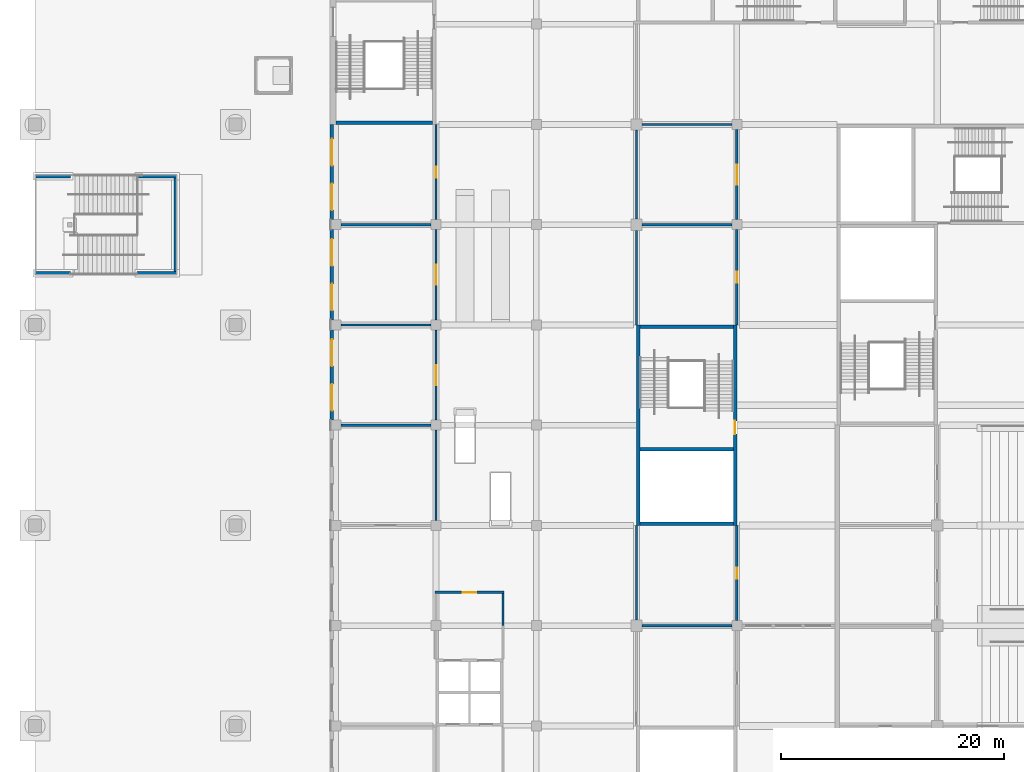
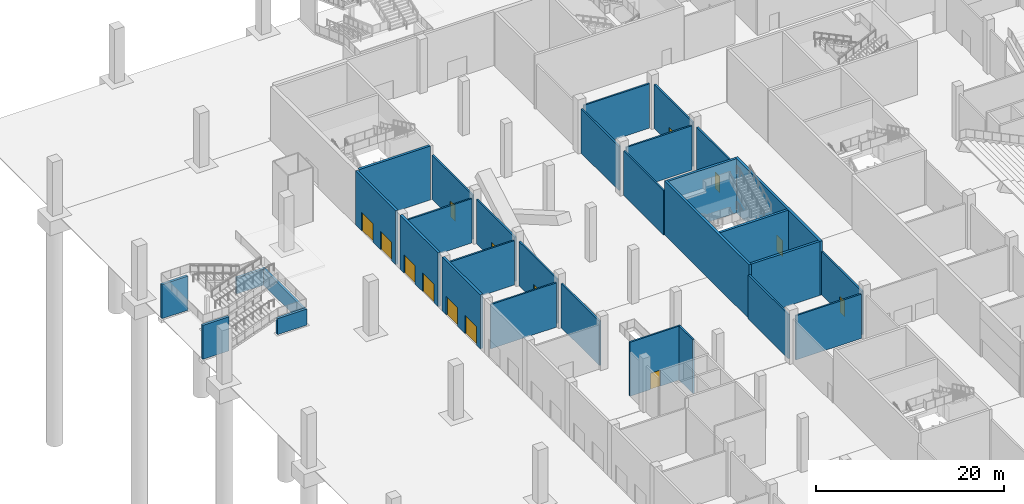
# One storey, part 27 of 92: 32 walls, 14 doors, 14 openings.
"""IFC4 building model written with IfcOpenShell, lengths in metres."""

from ifc_helpers import new_model, si_unit, direction, frame, frame_2d, origin, place, context, subcontext, project, spatial, rectangle, extrude, material, layer, layer_set, type_object, element, fill, save


model = new_model("IFC4")

# Units and contexts
model_context = context("Model", 3, precision=1e-05, world=origin(), true_north=direction((0.0, 1.0)))
body_context = subcontext(model_context, "Body", "Model", "MODEL_VIEW")
ifc_project = project(units=[si_unit("LENGTHUNIT", "METRE"), si_unit("AREAUNIT", "SQUARE_METRE"), si_unit("VOLUMEUNIT", "CUBIC_METRE"), si_unit("PLANEANGLEUNIT", "RADIAN"), si_unit("MASSUNIT", "GRAM", prefix="KILO")], contexts=[model_context])

# Site, building, storey
site_placement = place(None, origin())
site = spatial("IfcSite", under=ifc_project, at=site_placement, CompositionType="ELEMENT")
building_placement = place(site_placement, origin())
building = spatial("IfcBuilding", under=site, at=building_placement, Name="Silverbay Arena", CompositionType="ELEMENT")
storey_placement = place(building_placement, origin())
storey = spatial("IfcBuildingStorey", under=building, at=storey_placement, Name="L00", CompositionType="ELEMENT", Elevation=0.0)

# Wall, openings, doors
ifc_material_1 = material(Name="Concrete Grade C45 precast, board-marked finish", Category="concrete")
ifc_layer_1 = layer(ifc_material_1, 0.300048828125)
ifc_layer_set_1 = layer_set([ifc_layer_1], Name="Concrete Grade C45 precast, board-marked finish")
wall_type_1 = type_object("IfcWallType", Name="Board-marked precast wall 300", PredefinedType="SOLIDWALL", material=ifc_layer_set_1)
wall_1_placement = place(storey_placement, frame((26.64990234375, 107.550048828125, 0.0), z_axis=(0.0, 0.0, 1.0), x_axis=(0.0, -1.0, 0.0)))
wall_1 = element("IfcWall", 1, at=wall_1_placement, inside=storey, type_object=wall_type_1, Name="West external wall L00 bay 10", PredefinedType="SOLIDWALL", context=body_context, shape_type="SweptSolid", body=[
    extrude(rectangle(XDim=8.10009765625, YDim=0.300048828125, at=frame_2d((4.050048828125, 0.0))), origin(), (0.0, 0.0, 1.0), 7.0),
])
opening_1_placement = place(wall_1_placement, frame((4.85009765625, 0.0, 0.0)))
opening_1 = element("IfcOpeningElement", 2, at=opening_1_placement, cuts=wall_1, Name="Opening L00-152", PredefinedType="OPENING", context=body_context, shape_type="SweptSolid", body=[
    extrude(rectangle(XDim=2.39990234375, YDim=2.39990234375, at=frame_2d((1.199951171875, 1.199951171875))), frame((0.0, 0.16015625, 0.0), z_axis=(0.0, -1.0, 0.0), x_axis=(1.0, 0.0, 0.0)), (0.0, 0.0, 1.0), 0.320068359375),
])
opening_2_placement = place(wall_1_placement, frame((0.85009765625, 0.0, 0.0)))
opening_2 = element("IfcOpeningElement", 3, at=opening_2_placement, cuts=wall_1, Name="Opening L00-153", PredefinedType="OPENING", context=body_context, shape_type="SweptSolid", body=[
    extrude(rectangle(XDim=2.39990234375, YDim=2.39990234375, at=frame_2d((1.199951171875, 1.199951171875))), frame((0.0, 0.16015625, 0.0), z_axis=(0.0, -1.0, 0.0), x_axis=(1.0, 0.0, 0.0)), (0.0, 0.0, 1.0), 0.320068359375),
])
ifc_material_2 = material(Name="Steel", Category="steel")
door_type_1 = type_object("IfcDoorType", Name="Exit gate door 2400 x 2400", OperationType="DOUBLE_DOOR_SINGLE_SWING", PredefinedType="DOOR", material=ifc_material_2)
door_1_placement = place(opening_1_placement, frame((2.39990234375, 0.0, 0.0), z_axis=(0.0, 0.0, 1.0), x_axis=(-1.0, 0.0, 0.0)))
door_1 = element("IfcDoor", 4, at=door_1_placement, inside=storey, type_object=door_type_1, Name="Pedestrian exit gate G23", OperationType="DOUBLE_DOOR_SINGLE_SWING", OverallHeight=2.39990234375, OverallWidth=2.39990234375, PredefinedType="DOOR", context=body_context, shape_type="SweptSolid", body=[
    extrude(rectangle(XDim=2.39990234375, YDim=2.39990234375, at=frame_2d((1.199951171875, 1.199951171875))), frame((0.0, 0.02490234375, 0.0), z_axis=(0.0, -1.0, 0.0), x_axis=(1.0, 0.0, 0.0)), (0.0, 0.0, 1.0), 0.050048828125),
])
fill(opening_1, door_1)
door_2_placement = place(opening_2_placement, frame((2.39990234375, 0.0, 0.0), z_axis=(0.0, 0.0, 1.0), x_axis=(-1.0, 0.0, 0.0)))
door_2 = element("IfcDoor", 5, at=door_2_placement, inside=storey, type_object=door_type_1, Name="Pedestrian exit gate G24", OperationType="DOUBLE_DOOR_SINGLE_SWING", OverallHeight=2.39990234375, OverallWidth=2.39990234375, PredefinedType="DOOR", context=body_context, shape_type="SweptSolid", body=[
    extrude(rectangle(XDim=2.39990234375, YDim=2.39990234375, at=frame_2d((1.199951171875, 1.199951171875))), frame((0.0, 0.02490234375, 0.0), z_axis=(0.0, -1.0, 0.0), x_axis=(1.0, 0.0, 0.0)), (0.0, 0.0, 1.0), 0.050048828125),
])
fill(opening_2, door_2)

wall_2_placement = place(storey_placement, frame((26.64990234375, 116.550048828125, 0.0), z_axis=(0.0, 0.0, 1.0), x_axis=(0.0, -1.0, 0.0)))
wall_2 = element("IfcWall", 6, at=wall_2_placement, inside=storey, type_object=wall_type_1, Name="West external wall L00 bay 11", PredefinedType="SOLIDWALL", context=body_context, shape_type="SweptSolid", body=[
    extrude(rectangle(XDim=8.10009765625, YDim=0.300048828125, at=frame_2d((4.050048828125, 0.0))), origin(), (0.0, 0.0, 1.0), 7.0),
])
opening_3_placement = place(wall_2_placement, frame((4.85009765625, 0.0, 0.0)))
opening_3 = element("IfcOpeningElement", 7, at=opening_3_placement, cuts=wall_2, Name="Opening L00-154", PredefinedType="OPENING", context=body_context, shape_type="SweptSolid", body=[
    extrude(rectangle(XDim=2.39990234375, YDim=2.39990234375, at=frame_2d((1.199951171875, 1.199951171875))), frame((0.0, 0.16015625, 0.0), z_axis=(0.0, -1.0, 0.0), x_axis=(1.0, 0.0, 0.0)), (0.0, 0.0, 1.0), 0.320068359375),
])
opening_4_placement = place(wall_2_placement, frame((0.85009765625, 0.0, 0.0)))
opening_4 = element("IfcOpeningElement", 8, at=opening_4_placement, cuts=wall_2, Name="Opening L00-155", PredefinedType="OPENING", context=body_context, shape_type="SweptSolid", body=[
    extrude(rectangle(XDim=2.39990234375, YDim=2.39990234375, at=frame_2d((1.199951171875, 1.199951171875))), frame((0.0, 0.16015625, 0.0), z_axis=(0.0, -1.0, 0.0), x_axis=(1.0, 0.0, 0.0)), (0.0, 0.0, 1.0), 0.320068359375),
])
door_3_placement = place(opening_3_placement, frame((2.39990234375, 0.0, 0.0), z_axis=(0.0, 0.0, 1.0), x_axis=(-1.0, 0.0, 0.0)))
door_3 = element("IfcDoor", 9, at=door_3_placement, inside=storey, type_object=door_type_1, Name="Pedestrian exit gate G25", OperationType="DOUBLE_DOOR_SINGLE_SWING", OverallHeight=2.39990234375, OverallWidth=2.39990234375, PredefinedType="DOOR", context=body_context, shape_type="SweptSolid", body=[
    extrude(rectangle(XDim=2.39990234375, YDim=2.39990234375, at=frame_2d((1.199951171875, 1.199951171875))), frame((0.0, 0.02490234375, 0.0), z_axis=(0.0, -1.0, 0.0), x_axis=(1.0, 0.0, 0.0)), (0.0, 0.0, 1.0), 0.050048828125),
])
fill(opening_3, door_3)
door_4_placement = place(opening_4_placement, frame((2.39990234375, 0.0, 0.0), z_axis=(0.0, 0.0, 1.0), x_axis=(-1.0, 0.0, 0.0)))
door_4 = element("IfcDoor", 10, at=door_4_placement, inside=storey, type_object=door_type_1, Name="Pedestrian exit gate G26", OperationType="DOUBLE_DOOR_SINGLE_SWING", OverallHeight=2.39990234375, OverallWidth=2.39990234375, PredefinedType="DOOR", context=body_context, shape_type="SweptSolid", body=[
    extrude(rectangle(XDim=2.39990234375, YDim=2.39990234375, at=frame_2d((1.199951171875, 1.199951171875))), frame((0.0, 0.02490234375, 0.0), z_axis=(0.0, -1.0, 0.0), x_axis=(1.0, 0.0, 0.0)), (0.0, 0.0, 1.0), 0.050048828125),
])
fill(opening_4, door_4)

wall_3_placement = place(storey_placement, frame((26.64990234375, 126.0, 0.0), z_axis=(0.0, 0.0, 1.0), x_axis=(0.0, -1.0, 0.0)))
wall_3 = element("IfcWall", 11, at=wall_3_placement, inside=storey, type_object=wall_type_1, Name="West external wall L00 bay 12", PredefinedType="SOLIDWALL", context=body_context, shape_type="SweptSolid", body=[
    extrude(rectangle(XDim=8.550048828125, YDim=0.300048828125, at=frame_2d((4.27490234375, 0.0))), origin(), (0.0, 0.0, 1.0), 7.0),
])
opening_5_placement = place(wall_3_placement, frame((5.300048828125, 0.0, 0.0)))
opening_5 = element("IfcOpeningElement", 12, at=opening_5_placement, cuts=wall_3, Name="Opening L00-156", PredefinedType="OPENING", context=body_context, shape_type="SweptSolid", body=[
    extrude(rectangle(XDim=2.39990234375, YDim=2.39990234375, at=frame_2d((1.199951171875, 1.199951171875))), frame((0.0, 0.16015625, 0.0), z_axis=(0.0, -1.0, 0.0), x_axis=(1.0, 0.0, 0.0)), (0.0, 0.0, 1.0), 0.320068359375),
])
opening_6_placement = place(wall_3_placement, frame((1.300048828125, 0.0, 0.0)))
opening_6 = element("IfcOpeningElement", 13, at=opening_6_placement, cuts=wall_3, Name="Opening L00-157", PredefinedType="OPENING", context=body_context, shape_type="SweptSolid", body=[
    extrude(rectangle(XDim=2.39990234375, YDim=2.39990234375, at=frame_2d((1.199951171875, 1.199951171875))), frame((0.0, 0.16015625, 0.0), z_axis=(0.0, -1.0, 0.0), x_axis=(1.0, 0.0, 0.0)), (0.0, 0.0, 1.0), 0.320068359375),
])
door_5_placement = place(opening_5_placement, frame((2.39990234375, 0.0, 0.0), z_axis=(0.0, 0.0, 1.0), x_axis=(-1.0, 0.0, 0.0)))
door_5 = element("IfcDoor", 14, at=door_5_placement, inside=storey, type_object=door_type_1, Name="Pedestrian exit gate G27", OperationType="DOUBLE_DOOR_SINGLE_SWING", OverallHeight=2.39990234375, OverallWidth=2.39990234375, PredefinedType="DOOR", context=body_context, shape_type="SweptSolid", body=[
    extrude(rectangle(XDim=2.39990234375, YDim=2.39990234375, at=frame_2d((1.199951171875, 1.199951171875))), frame((0.0, 0.02490234375, 0.0), z_axis=(0.0, -1.0, 0.0), x_axis=(1.0, 0.0, 0.0)), (0.0, 0.0, 1.0), 0.050048828125),
])
fill(opening_5, door_5)
door_6_placement = place(opening_6_placement, frame((2.39990234375, 0.0, 0.0), z_axis=(0.0, 0.0, 1.0), x_axis=(-1.0, 0.0, 0.0)))
door_6 = element("IfcDoor", 15, at=door_6_placement, inside=storey, type_object=door_type_1, Name="Pedestrian exit gate G28", OperationType="DOUBLE_DOOR_SINGLE_SWING", OverallHeight=2.39990234375, OverallWidth=2.39990234375, PredefinedType="DOOR", context=body_context, shape_type="SweptSolid", body=[
    extrude(rectangle(XDim=2.39990234375, YDim=2.39990234375, at=frame_2d((1.199951171875, 1.199951171875))), frame((0.0, 0.02490234375, 0.0), z_axis=(0.0, -1.0, 0.0), x_axis=(1.0, 0.0, 0.0)), (0.0, 0.0, 1.0), 0.050048828125),
])
fill(opening_6, door_6)

# Wall, opening, door
ifc_material_3 = material(Name="Concrete Grade C45", Category="concrete")
ifc_layer_2 = layer(ifc_material_3, 0.300048828125)
ifc_layer_set_2 = layer_set([ifc_layer_2], Name="Concrete Grade C45")
wall_type_2 = type_object("IfcWallType", Name="Core wall RC 300 EI 120", PredefinedType="SHEAR", material=ifc_layer_set_2)
wall_4_placement = place(storey_placement, frame((62.85009765625, 108.0, 0.0), z_axis=(0.0, 0.0, 1.0), x_axis=(0.0, -1.0, 0.0)))
wall_4 = element("IfcWall", 16, at=wall_4_placement, inside=storey, type_object=wall_type_2, Name="Core wall ST-W2 L00 door side", PredefinedType="SHEAR", context=body_context, shape_type="SweptSolid", body=[
    extrude(rectangle(XDim=18.0, YDim=0.300048828125, at=frame_2d((9.0, 0.0))), origin(), (0.0, 0.0, 1.0), 7.0),
])
opening_7_placement = place(wall_4_placement, frame((8.60009765625, 0.0, 0.0)))
opening_7 = element("IfcOpeningElement", 17, at=opening_7_placement, cuts=wall_4, Name="Opening L00-183", PredefinedType="OPENING", context=body_context, shape_type="SweptSolid", body=[
    extrude(rectangle(XDim=1.199951171875, YDim=2.10009765625, at=frame_2d((0.60009765625, 1.050048828125))), frame((0.0, 0.16015625, 0.0), z_axis=(0.0, -1.0, 0.0), x_axis=(1.0, 0.0, 0.0)), (0.0, 0.0, 1.0), 0.320068359375),
])
ifc_material_4 = material(Name="Steel fire door", Category="steel")
door_type_2 = type_object("IfcDoorType", Name="Stair door 1200 x 2100 fire door", OperationType="SINGLE_SWING_LEFT", PredefinedType="DOOR", material=ifc_material_4)
door_7_placement = place(opening_7_placement, frame((1.199951171875, 0.0, 0.0), z_axis=(0.0, 0.0, 1.0), x_axis=(-1.0, 0.0, 0.0)))
door_7 = element("IfcDoor", 18, at=door_7_placement, inside=storey, type_object=door_type_2, Name="Stair door ST-W2 L00", OperationType="SINGLE_SWING_LEFT", OverallHeight=2.10009765625, OverallWidth=1.199951171875, PredefinedType="DOOR", context=body_context, shape_type="SweptSolid", body=[
    extrude(rectangle(XDim=1.199951171875, YDim=2.10009765625, at=frame_2d((0.60009765625, 1.050048828125))), frame((0.0, 0.02490234375, 0.0), z_axis=(0.0, -1.0, 0.0), x_axis=(1.0, 0.0, 0.0)), (0.0, 0.0, 1.0), 0.050048828125),
])
fill(opening_7, door_7)

# Walls
wall_5_placement = place(storey_placement, frame((54.14990234375, 108.0, 0.0), z_axis=(0.0, 0.0, 1.0), x_axis=(0.0, -1.0, 0.0)))
element("IfcWall", 19, at=wall_5_placement, inside=storey, type_object=wall_type_2, Name="Core wall ST-W2 L00 far side", PredefinedType="SHEAR", context=body_context, shape_type="SweptSolid", body=[
    extrude(rectangle(XDim=18.0, YDim=0.300048828125, at=frame_2d((9.0, 0.0))), origin(), (0.0, 0.0, 1.0), 7.0),
])
for number, where, z_axis, x_axis, name in (
    (20, (62.699951171875, 107.85009765625, 0.0), (0.0, 0.0, 1.0), (-1.0, 0.0, 0.0), "Core wall ST-W2 L00 end 1"),
    (21, (62.699951171875, 90.14990234375, 0.0), (0.0, 0.0, 1.0), (-1.0, 0.0, 0.0), "Core wall ST-W2 L00 end 2"),
    (22, (62.699951171875, 96.85009765625, 0.0), (0.0, 0.0, 1.0), (-1.0, 0.0, 0.0), "Core wall ST-W2 L00 stair enclosure"),
):
    element("IfcWall", number, at=place(storey_placement, frame(where, z_axis=z_axis, x_axis=x_axis)), inside=storey, type_object=wall_type_2, Name=name, PredefinedType="SHEAR", context=body_context, shape_type="SweptSolid", body=[
        extrude(rectangle(XDim=8.39990234375, YDim=0.300048828125, at=frame_2d((4.199951171875, 0.0))), origin(), (0.0, 0.0, 1.0), 7.0),
    ])
wall_6_placement = place(storey_placement, frame((35.699951171875, 126.14990234375, 0.0), z_axis=(0.0, 0.0, 1.0), x_axis=(-1.0, 0.0, 0.0)))
element("IfcWall", 23, at=wall_6_placement, inside=storey, type_object=wall_type_2, Name="Core wall ST-WG2 L00 end 1", PredefinedType="SHEAR", context=body_context, shape_type="SweptSolid", body=[
    extrude(rectangle(XDim=8.699951171875, YDim=0.300048828125, at=frame_2d((4.35009765625, 0.0))), origin(), (0.0, 0.0, 1.0), 7.0),
])
ifc_material_5 = material(Name="Concrete Grade C45", Category="concrete")
ifc_layer_3 = layer(ifc_material_5, 0.300048828125)
ifc_layer_set_3 = layer_set([ifc_layer_3], Name="Concrete Grade C45")
wall_type_3 = type_object("IfcWallType", Name="Landing support wall RC 300 EI 120", PredefinedType="SHEAR", material=ifc_layer_set_3)
for number, where, z_axis, x_axis, name in (
    (24, (0.0, 112.64990234375, 0.0), (0.0, 0.0, 1.0), (1.0, 0.0, 0.0), "Deck stair DS2 landing support wall"),
    (25, (0.0, 121.35009765625, 0.0), (0.0, 0.0, 1.0), (1.0, 0.0, 0.0), "Deck stair DS2 landing support wall"),
):
    element("IfcWall", number, at=place(storey_placement, frame(where, z_axis=z_axis, x_axis=x_axis)), inside=storey, type_object=wall_type_3, Name=name, PredefinedType="SHEAR", context=body_context, shape_type="SweptSolid", body=[
        extrude(rectangle(XDim=3.199951171875, YDim=0.300048828125, at=frame_2d((1.60009765625, 0.0))), origin(), (0.0, 0.0, 1.0), 4.416748046875),
    ])
for number, where, z_axis, x_axis, name in (
    (26, (9.162109375, 112.64990234375, 0.0), (0.0, 0.0, 1.0), (1.0, 0.0, 0.0), "Deck stair DS2 landing support wall"),
    (27, (9.162109375, 121.35009765625, 0.0), (0.0, 0.0, 1.0), (1.0, 0.0, 0.0), "Deck stair DS2 landing support wall"),
):
    element("IfcWall", number, at=place(storey_placement, frame(where, z_axis=z_axis, x_axis=x_axis)), inside=storey, type_object=wall_type_3, Name=name, PredefinedType="SHEAR", context=body_context, shape_type="SweptSolid", body=[
        extrude(rectangle(XDim=3.599853515625, YDim=0.300048828125, at=frame_2d((1.7998046875, 0.0))), origin(), (0.0, 0.0, 1.0), 2.083251953125),
    ])
wall_7_placement = place(storey_placement, frame((12.612060546875, 112.800048828125, 0.0), z_axis=(0.0, 0.0, 1.0), x_axis=(0.0, 1.0, 0.0)))
element("IfcWall", 28, at=wall_7_placement, inside=storey, type_object=wall_type_3, Name="Deck stair DS2 landing support wall", PredefinedType="SHEAR", context=body_context, shape_type="SweptSolid", body=[
    extrude(rectangle(XDim=8.39990234375, YDim=0.300048828125, at=frame_2d((4.199951171875, 0.0))), origin(), (0.0, 0.0, 1.0), 2.083251953125),
])
ifc_material_6 = material(Name="Masonry blockwork partition", Category="masonry")
ifc_layer_4 = layer(ifc_material_6, 0.199951171875)
ifc_layer_set_4 = layer_set([ifc_layer_4], Name="Masonry blockwork partition")
wall_type_4 = type_object("IfcWallType", Name="Partition 200 EI 120", PredefinedType="PARTITIONING", material=ifc_layer_set_4)
wall_8_placement = place(storey_placement, frame((54.5, 81.0, 0.0), z_axis=(0.0, 0.0, 1.0), x_axis=(1.0, 0.0, 0.0)))
element("IfcWall", 29, at=wall_8_placement, inside=storey, type_object=wall_type_4, Name="Partition wall", PredefinedType="PARTITIONING", context=body_context, shape_type="SweptSolid", body=[
    extrude(rectangle(XDim=8.050048828125, YDim=0.199951171875, at=frame_2d((4.02490234375, 0.0))), origin(), (0.0, 0.0, 1.0), 5.75),
])

# Wall, opening, door
wall_9_placement = place(storey_placement, frame((35.89990234375, 84.0, 0.0), z_axis=(0.0, 0.0, 1.0), x_axis=(1.0, 0.0, 0.0)))
wall_9 = element("IfcWall", 30, at=wall_9_placement, inside=storey, type_object=wall_type_4, Name="Partition wall", PredefinedType="PARTITIONING", context=body_context, shape_type="SweptSolid", body=[
    extrude(rectangle(XDim=6.2001953125, YDim=0.199951171875, at=frame_2d((3.10009765625, 0.0))), origin(), (0.0, 0.0, 1.0), 7.0),
])
opening_8_placement = place(wall_9_placement, frame((2.5, 0.0, 0.0)))
opening_8 = element("IfcOpeningElement", 31, at=opening_8_placement, cuts=wall_9, Name="Opening L00-064", PredefinedType="OPENING", context=body_context, shape_type="SweptSolid", body=[
    extrude(rectangle(XDim=1.199951171875, YDim=2.10009765625, at=frame_2d((0.60009765625, 1.050048828125))), frame((0.0, 0.10986328125, 0.0), z_axis=(0.0, -1.0, 0.0), x_axis=(1.0, 0.0, 0.0)), (0.0, 0.0, 1.0), 0.219970703125),
])
ifc_material_7 = material(Name="Steel faced timber", Category="steel")
door_type_3 = type_object("IfcDoorType", Name="Single leaf door 1200 x 2100 FD120", OperationType="SINGLE_SWING_LEFT", PredefinedType="DOOR", material=ifc_material_7)
door_8_placement = place(opening_8_placement, origin())
door_8 = element("IfcDoor", 32, at=door_8_placement, inside=storey, type_object=door_type_3, Name="Door L00-064", OperationType="SINGLE_SWING_RIGHT", OverallHeight=2.10009765625, OverallWidth=1.199951171875, PredefinedType="DOOR", context=body_context, shape_type="SweptSolid", body=[
    extrude(rectangle(XDim=1.199951171875, YDim=2.10009765625, at=frame_2d((0.60009765625, 1.050048828125))), frame((0.0, 0.02490234375, 0.0), z_axis=(0.0, -1.0, 0.0), x_axis=(1.0, 0.0, 0.0)), (0.0, 0.0, 1.0), 0.050048828125),
])
fill(opening_8, door_8)

# Walls
for number, where, z_axis, x_axis, name in (
    (33, (54.5, 117.0, 0.0), (0.0, 0.0, 1.0), (1.0, 0.0, 0.0), "Partition wall"),
    (34, (54.5, 126.0, 0.0), (0.0, 0.0, 1.0), (1.0, 0.0, 0.0), "Partition wall"),
):
    element("IfcWall", number, at=place(storey_placement, frame(where, z_axis=z_axis, x_axis=x_axis)), inside=storey, type_object=wall_type_4, Name=name, PredefinedType="PARTITIONING", context=body_context, shape_type="SweptSolid", body=[
        extrude(rectangle(XDim=8.050048828125, YDim=0.199951171875, at=frame_2d((4.02490234375, 0.0))), origin(), (0.0, 0.0, 1.0), 5.75),
    ])
wall_10_placement = place(storey_placement, frame((42.0, 81.0, 0.0), z_axis=(0.0, 0.0, 1.0), x_axis=(0.0, 1.0, 0.0)))
element("IfcWall", 35, at=wall_10_placement, inside=storey, type_object=wall_type_4, Name="Partition wall", PredefinedType="PARTITIONING", context=body_context, shape_type="SweptSolid", body=[
    extrude(rectangle(XDim=2.89990234375, YDim=0.199951171875, at=frame_2d((1.449951171875, 0.0))), origin(), (0.0, 0.0, 1.0), 7.0),
])
for number, where, z_axis, x_axis, name in (
    (36, (54.0, 81.5, 0.0), (0.0, 0.0, 1.0), (0.0, 1.0, 0.0), "Partition wall"),
    (37, (54.0, 108.0, 0.0), (0.0, 0.0, 1.0), (0.0, 1.0, 0.0), "Partition wall"),
):
    element("IfcWall", number, at=place(storey_placement, frame(where, z_axis=z_axis, x_axis=x_axis)), inside=storey, type_object=wall_type_4, Name=name, PredefinedType="PARTITIONING", context=body_context, shape_type="SweptSolid", body=[
        extrude(rectangle(XDim=8.5, YDim=0.199951171875, at=frame_2d((4.25, 0.0))), origin(), (0.0, 0.0, 1.0), 5.75),
    ])
wall_11_placement = place(storey_placement, frame((54.0, 117.5, 0.0), z_axis=(0.0, 0.0, 1.0), x_axis=(0.0, 1.0, 0.0)))
element("IfcWall", 38, at=wall_11_placement, inside=storey, type_object=wall_type_4, Name="Partition wall", PredefinedType="PARTITIONING", context=body_context, shape_type="SweptSolid", body=[
    extrude(rectangle(XDim=8.0, YDim=0.199951171875, at=frame_2d((4.0, 0.0))), origin(), (0.0, 0.0, 1.0), 5.75),
])

# Wall, opening, door
wall_12_placement = place(storey_placement, frame((63.0, 81.449951171875, 0.0), z_axis=(0.0, 0.0, 1.0), x_axis=(0.0, 1.0, 0.0)))
wall_12 = element("IfcWall", 39, at=wall_12_placement, inside=storey, type_object=wall_type_4, Name="Partition wall", PredefinedType="PARTITIONING", context=body_context, shape_type="SweptSolid", body=[
    extrude(rectangle(XDim=8.550048828125, YDim=0.199951171875, at=frame_2d((4.27490234375, 0.0))), origin(), (0.0, 0.0, 1.0), 5.64990234375),
])
opening_9_placement = place(wall_12_placement, frame((3.77490234375, 0.0, 0.0)))
opening_9 = element("IfcOpeningElement", 40, at=opening_9_placement, cuts=wall_12, Name="Opening L00-010", PredefinedType="OPENING", context=body_context, shape_type="SweptSolid", body=[
    extrude(rectangle(XDim=1.0, YDim=2.10009765625, at=frame_2d((0.5, 1.050048828125))), frame((0.0, 0.10986328125, 0.0), z_axis=(0.0, -1.0, 0.0), x_axis=(1.0, 0.0, 0.0)), (0.0, 0.0, 1.0), 0.219970703125),
])
ifc_material_8 = material(Name="Steel faced timber", Category="steel")
door_type_4 = type_object("IfcDoorType", Name="Single leaf door 1000 x 2100 FD120", OperationType="SINGLE_SWING_LEFT", PredefinedType="DOOR", material=ifc_material_8)
door_9_placement = place(opening_9_placement, origin())
door_9 = element("IfcDoor", 41, at=door_9_placement, inside=storey, type_object=door_type_4, Name="Door L00-010", OperationType="SINGLE_SWING_RIGHT", OverallHeight=2.10009765625, OverallWidth=1.0, PredefinedType="DOOR", context=body_context, shape_type="SweptSolid", body=[
    extrude(rectangle(XDim=1.0, YDim=2.10009765625, at=frame_2d((0.5, 1.050048828125))), frame((0.0, 0.02490234375, 0.0), z_axis=(0.0, -1.0, 0.0), x_axis=(1.0, 0.0, 0.0)), (0.0, 0.0, 1.0), 0.050048828125),
])
fill(opening_9, door_9)

wall_13_placement = place(storey_placement, frame((63.0, 108.0, 0.0), z_axis=(0.0, 0.0, 1.0), x_axis=(0.0, 1.0, 0.0)))
wall_13 = element("IfcWall", 42, at=wall_13_placement, inside=storey, type_object=wall_type_4, Name="Partition wall", PredefinedType="PARTITIONING", context=body_context, shape_type="SweptSolid", body=[
    extrude(rectangle(XDim=8.550048828125, YDim=0.199951171875, at=frame_2d((4.27490234375, 0.0))), origin(), (0.0, 0.0, 1.0), 5.64990234375),
])
opening_10_placement = place(wall_13_placement, frame((3.77490234375, 0.0, 0.0)))
opening_10 = element("IfcOpeningElement", 43, at=opening_10_placement, cuts=wall_13, Name="Opening L00-011", PredefinedType="OPENING", context=body_context, shape_type="SweptSolid", body=[
    extrude(rectangle(XDim=1.0, YDim=2.10009765625, at=frame_2d((0.5, 1.050048828125))), frame((0.0, 0.10986328125, 0.0), z_axis=(0.0, -1.0, 0.0), x_axis=(1.0, 0.0, 0.0)), (0.0, 0.0, 1.0), 0.219970703125),
])
ifc_material_9 = material(Name="Steel faced timber", Category="steel")
door_type_5 = type_object("IfcDoorType", Name="Single leaf door 1000 x 2100 FD60", OperationType="SINGLE_SWING_LEFT", PredefinedType="DOOR", material=ifc_material_9)
door_10_placement = place(opening_10_placement, origin())
door_10 = element("IfcDoor", 44, at=door_10_placement, inside=storey, type_object=door_type_5, Name="Door L00-011", OperationType="SINGLE_SWING_LEFT", OverallHeight=2.10009765625, OverallWidth=1.0, PredefinedType="DOOR", context=body_context, shape_type="SweptSolid", body=[
    extrude(rectangle(XDim=1.0, YDim=2.10009765625, at=frame_2d((0.5, 1.050048828125))), frame((0.0, 0.02490234375, 0.0), z_axis=(0.0, -1.0, 0.0), x_axis=(1.0, 0.0, 0.0)), (0.0, 0.0, 1.0), 0.050048828125),
])
fill(opening_10, door_10)

wall_14_placement = place(storey_placement, frame((63.0, 117.449951171875, 0.0), z_axis=(0.0, 0.0, 1.0), x_axis=(0.0, 1.0, 0.0)))
wall_14 = element("IfcWall", 45, at=wall_14_placement, inside=storey, type_object=wall_type_4, Name="Partition wall", PredefinedType="PARTITIONING", context=body_context, shape_type="SweptSolid", body=[
    extrude(rectangle(XDim=8.10009765625, YDim=0.199951171875, at=frame_2d((4.050048828125, 0.0))), origin(), (0.0, 0.0, 1.0), 5.75),
])
opening_11_placement = place(wall_14_placement, frame((3.14990234375, 0.0, 0.0)))
opening_11 = element("IfcOpeningElement", 46, at=opening_11_placement, cuts=wall_14, Name="Opening L00-012", PredefinedType="OPENING", context=body_context, shape_type="SweptSolid", body=[
    extrude(rectangle(XDim=1.800048828125, YDim=2.10009765625, at=frame_2d((0.89990234375, 1.050048828125))), frame((0.0, 0.10986328125, 0.0), z_axis=(0.0, -1.0, 0.0), x_axis=(1.0, 0.0, 0.0)), (0.0, 0.0, 1.0), 0.219970703125),
])
ifc_material_10 = material(Name="Steel faced timber", Category="steel")
door_type_6 = type_object("IfcDoorType", Name="Double leaf door 1800 x 2100 FD120", OperationType="DOUBLE_DOOR_DOUBLE_SWING", PredefinedType="DOOR", material=ifc_material_10)
door_11_placement = place(opening_11_placement, origin())
door_11 = element("IfcDoor", 47, at=door_11_placement, inside=storey, type_object=door_type_6, Name="Door L00-012", OperationType="DOUBLE_DOOR_DOUBLE_SWING", OverallHeight=2.10009765625, OverallWidth=1.800048828125, PredefinedType="DOOR", context=body_context, shape_type="SweptSolid", body=[
    extrude(rectangle(XDim=1.800048828125, YDim=2.10009765625, at=frame_2d((0.89990234375, 1.050048828125))), frame((0.0, 0.02490234375, 0.0), z_axis=(0.0, -1.0, 0.0), x_axis=(1.0, 0.0, 0.0)), (0.0, 0.0, 1.0), 0.050048828125),
])
fill(opening_11, door_11)

# Walls
ifc_material_11 = material(Name="Gypsum board partition on steel studs", Category="steel")
ifc_layer_5 = layer(ifc_material_11, 0.199951171875)
ifc_layer_set_5 = layer_set([ifc_layer_5], Name="Gypsum board partition on steel studs")
wall_type_5 = type_object("IfcWallType", Name="Partition 200 EI 60", PredefinedType="PARTITIONING", material=ifc_layer_set_5)
for number, where, z_axis, x_axis, name in (
    (48, (27.449951171875, 99.0, 0.0), (0.0, 0.0, 1.0), (1.0, 0.0, 0.0), "Partition wall"),
    (49, (27.449951171875, 108.0, 0.0), (0.0, 0.0, 1.0), (1.0, 0.0, 0.0), "Partition wall"),
    (50, (27.449951171875, 117.0, 0.0), (0.0, 0.0, 1.0), (1.0, 0.0, 0.0), "Partition wall"),
    (51, (36.0, 90.449951171875, 0.0), (0.0, 0.0, 1.0), (0.0, 1.0, 0.0), "Partition wall"),
):
    element("IfcWall", number, at=place(storey_placement, frame(where, z_axis=z_axis, x_axis=x_axis)), inside=storey, type_object=wall_type_5, Name=name, PredefinedType="PARTITIONING", context=body_context, shape_type="SweptSolid", body=[
        extrude(rectangle(XDim=8.10009765625, YDim=0.199951171875, at=frame_2d((4.050048828125, 0.0))), origin(), (0.0, 0.0, 1.0), 5.75),
    ])

# Wall, opening, door
wall_15_placement = place(storey_placement, frame((36.0, 99.449951171875, 0.0), z_axis=(0.0, 0.0, 1.0), x_axis=(0.0, 1.0, 0.0)))
wall_15 = element("IfcWall", 52, at=wall_15_placement, inside=storey, type_object=wall_type_5, Name="Partition wall", PredefinedType="PARTITIONING", context=body_context, shape_type="SweptSolid", body=[
    extrude(rectangle(XDim=8.10009765625, YDim=0.199951171875, at=frame_2d((4.050048828125, 0.0))), origin(), (0.0, 0.0, 1.0), 5.75),
])
opening_12_placement = place(wall_15_placement, frame((3.14990234375, 0.0, 0.0)))
opening_12 = element("IfcOpeningElement", 53, at=opening_12_placement, cuts=wall_15, Name="Opening L00-053", PredefinedType="OPENING", context=body_context, shape_type="SweptSolid", body=[
    extrude(rectangle(XDim=1.800048828125, YDim=2.10009765625, at=frame_2d((0.89990234375, 1.050048828125))), frame((0.0, 0.10986328125, 0.0), z_axis=(0.0, -1.0, 0.0), x_axis=(1.0, 0.0, 0.0)), (0.0, 0.0, 1.0), 0.219970703125),
])
ifc_material_12 = material(Name="Steel faced timber", Category="steel")
door_type_7 = type_object("IfcDoorType", Name="Double leaf door 1800 x 2100 FD30S", OperationType="DOUBLE_DOOR_DOUBLE_SWING", PredefinedType="DOOR", material=ifc_material_12)
door_12_placement = place(opening_12_placement, origin())
door_12 = element("IfcDoor", 54, at=door_12_placement, inside=storey, type_object=door_type_7, Name="Door L00-053", OperationType="DOUBLE_DOOR_DOUBLE_SWING", OverallHeight=2.10009765625, OverallWidth=1.800048828125, PredefinedType="DOOR", context=body_context, shape_type="SweptSolid", body=[
    extrude(rectangle(XDim=1.800048828125, YDim=2.10009765625, at=frame_2d((0.89990234375, 1.050048828125))), frame((0.0, 0.02490234375, 0.0), z_axis=(0.0, -1.0, 0.0), x_axis=(1.0, 0.0, 0.0)), (0.0, 0.0, 1.0), 0.050048828125),
])
fill(opening_12, door_12)

wall_16_placement = place(storey_placement, frame((36.0, 108.449951171875, 0.0), z_axis=(0.0, 0.0, 1.0), x_axis=(0.0, 1.0, 0.0)))
wall_16 = element("IfcWall", 55, at=wall_16_placement, inside=storey, type_object=wall_type_5, Name="Partition wall", PredefinedType="PARTITIONING", context=body_context, shape_type="SweptSolid", body=[
    extrude(rectangle(XDim=8.10009765625, YDim=0.199951171875, at=frame_2d((4.050048828125, 0.0))), origin(), (0.0, 0.0, 1.0), 5.75),
])
opening_13_placement = place(wall_16_placement, frame((3.14990234375, 0.0, 0.0)))
opening_13 = element("IfcOpeningElement", 56, at=opening_13_placement, cuts=wall_16, Name="Opening L00-054", PredefinedType="OPENING", context=body_context, shape_type="SweptSolid", body=[
    extrude(rectangle(XDim=1.800048828125, YDim=2.10009765625, at=frame_2d((0.89990234375, 1.050048828125))), frame((0.0, 0.10986328125, 0.0), z_axis=(0.0, -1.0, 0.0), x_axis=(1.0, 0.0, 0.0)), (0.0, 0.0, 1.0), 0.219970703125),
])
door_13_placement = place(opening_13_placement, origin())
door_13 = element("IfcDoor", 57, at=door_13_placement, inside=storey, type_object=door_type_7, Name="Door L00-054", OperationType="DOUBLE_DOOR_DOUBLE_SWING", OverallHeight=2.10009765625, OverallWidth=1.800048828125, PredefinedType="DOOR", context=body_context, shape_type="SweptSolid", body=[
    extrude(rectangle(XDim=1.800048828125, YDim=2.10009765625, at=frame_2d((0.89990234375, 1.050048828125))), frame((0.0, 0.02490234375, 0.0), z_axis=(0.0, -1.0, 0.0), x_axis=(1.0, 0.0, 0.0)), (0.0, 0.0, 1.0), 0.050048828125),
])
fill(opening_13, door_13)

wall_17_placement = place(storey_placement, frame((36.0, 117.449951171875, 0.0), z_axis=(0.0, 0.0, 1.0), x_axis=(0.0, 1.0, 0.0)))
wall_17 = element("IfcWall", 58, at=wall_17_placement, inside=storey, type_object=wall_type_5, Name="Partition wall", PredefinedType="PARTITIONING", context=body_context, shape_type="SweptSolid", body=[
    extrude(rectangle(XDim=8.550048828125, YDim=0.199951171875, at=frame_2d((4.27490234375, 0.0))), origin(), (0.0, 0.0, 1.0), 5.75),
])
opening_14_placement = place(wall_17_placement, frame((3.77490234375, 0.0, 0.0)))
opening_14 = element("IfcOpeningElement", 59, at=opening_14_placement, cuts=wall_17, Name="Opening L00-055", PredefinedType="OPENING", context=body_context, shape_type="SweptSolid", body=[
    extrude(rectangle(XDim=1.0, YDim=2.10009765625, at=frame_2d((0.5, 1.050048828125))), frame((0.0, 0.10986328125, 0.0), z_axis=(0.0, -1.0, 0.0), x_axis=(1.0, 0.0, 0.0)), (0.0, 0.0, 1.0), 0.219970703125),
])
ifc_material_13 = material(Name="Steel faced timber", Category="steel")
door_type_8 = type_object("IfcDoorType", Name="Single leaf door 1000 x 2100 FD30S", OperationType="SINGLE_SWING_LEFT", PredefinedType="DOOR", material=ifc_material_13)
door_14_placement = place(opening_14_placement, origin())
door_14 = element("IfcDoor", 60, at=door_14_placement, inside=storey, type_object=door_type_8, Name="Door L00-055", OperationType="SINGLE_SWING_LEFT", OverallHeight=2.10009765625, OverallWidth=1.0, PredefinedType="DOOR", context=body_context, shape_type="SweptSolid", body=[
    extrude(rectangle(XDim=1.0, YDim=2.10009765625, at=frame_2d((0.5, 1.050048828125))), frame((0.0, 0.02490234375, 0.0), z_axis=(0.0, -1.0, 0.0), x_axis=(1.0, 0.0, 0.0)), (0.0, 0.0, 1.0), 0.050048828125),
])
fill(opening_14, door_14)

save(model, "model.ifc")
